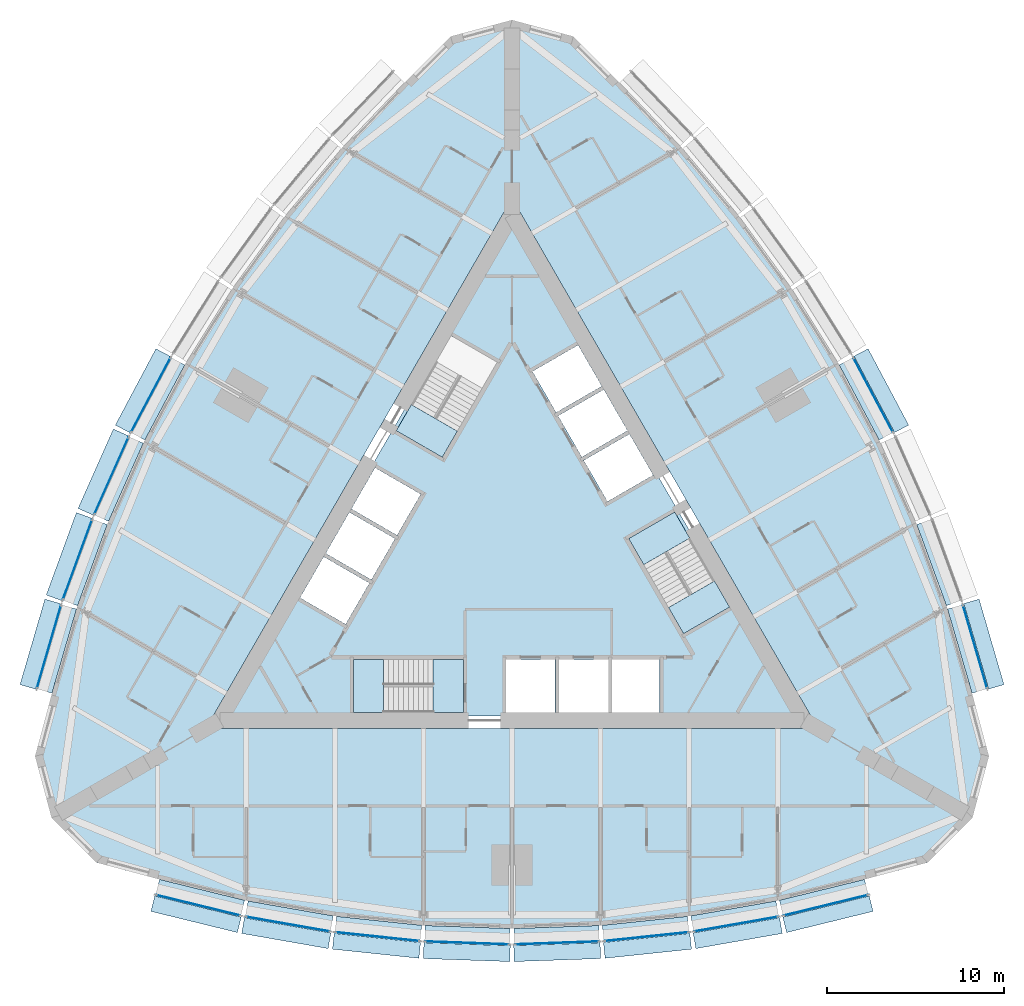
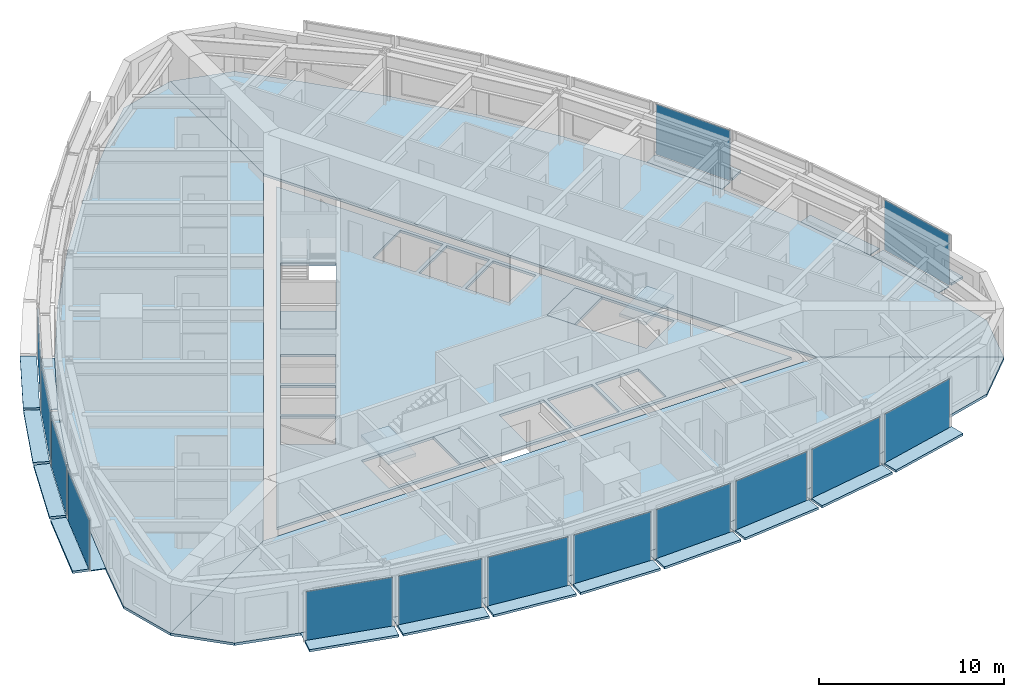
# One storey, part 6 of 14: 43 plates, 9 slabs, 17 elements without a shape of their own.
"""IFC4 building model written with IfcOpenShell, lengths in metres."""

import ifcopenshell
import ifcopenshell.guid

model = None  # the IFC model being written
_history = None  # IfcOwnerHistory: only IFC2X3 demands one
_inside = {}  # id of a spatial element -> (the spatial element, [elements in it])
_under = {}  # id of a project, library or spatial element -> (it, [spatial elements below it])
_declared = {}  # id of a project -> (the project, [libraries it declares])
_typed = {}  # id of a type object -> (the type object, [elements of that type])
_made_of = {}  # id of a material, layer set ... -> (it, [elements and type objects made of it])


def new_model(schema):
    """Start an empty IFC model of exactly this schema.

    Asked for "IFC4X3", IfcOpenShell would pick the latest addendum, in which some entities
    have other attributes; the version numbers below select the first issue.
    IFC2X3 requires an IfcOwnerHistory on every rooted entity: one is made here for all.
    """
    global model, _history
    if schema == "IFC4X3":
        model = ifcopenshell.file(schema_version=(4, 3, 0, 0))
    else:
        model = ifcopenshell.file(schema=schema)
    _inside.clear()
    _under.clear()
    _declared.clear()
    _typed.clear()
    _made_of.clear()
    _history = None
    if model.schema == "IFC2X3":
        org = make("IfcOrganization", Name="unknown")
        user = make(
            "IfcPersonAndOrganization",
            ThePerson=make("IfcPerson", FamilyName="unknown"),
            TheOrganization=org,
        )
        app = make(
            "IfcApplication",
            ApplicationDeveloper=org,
            Version="unknown",
            ApplicationFullName="unknown",
            ApplicationIdentifier="unknown",
        )
        _history = make(
            "IfcOwnerHistory",
            OwningUser=user,
            OwningApplication=app,
            ChangeAction="ADDED",
            CreationDate=0,
        )
    return model


def make(cls, **values):
    """One entity of the class cls with the attributes given. An attribute that is None is left unset."""
    return model.create_entity(
        cls, **{name: value for name, value in values.items() if value is not None}
    )


def rooted(cls, **values):
    """An entity with a GlobalId (a new one), such as an element, a storey or a relation."""
    return make(cls, GlobalId=ifcopenshell.guid.new(), OwnerHistory=_history, **values)


def si_unit(unit_type, name, prefix=None):
    """IfcSIUnit, for example si_unit("LENGTHUNIT", "METRE", prefix="MILLI")."""
    return make("IfcSIUnit", UnitType=unit_type, Prefix=prefix, Name=name)


def assignment(units):
    """IfcUnitAssignment: the units of a project."""
    return None if units is None else make("IfcUnitAssignment", Units=units)


def point(xyz):
    """IfcCartesianPoint."""
    return None if xyz is None else make("IfcCartesianPoint", Coordinates=xyz)


def direction(xyz):
    """IfcDirection."""
    return None if xyz is None else make("IfcDirection", DirectionRatios=xyz)


def frame(location, z_axis=None, x_axis=None):
    """IfcAxis2Placement3D, a coordinate frame: its origin and axes. An axis left out is left unset."""
    return make(
        "IfcAxis2Placement3D",
        Location=point(location),
        Axis=direction(z_axis),
        RefDirection=direction(x_axis),
    )


def frame_2d(location, x_axis=None):
    """IfcAxis2Placement2D, a coordinate frame in the plane: its origin and x axis."""
    return make(
        "IfcAxis2Placement2D", Location=point(location), RefDirection=direction(x_axis)
    )


def origin():
    """The frame at (0, 0, 0) with its axes left unset."""
    return frame((0.0, 0.0, 0.0))


def origin_2d():
    """The frame at (0, 0) in the plane with its x axis left unset."""
    return frame_2d((0.0, 0.0))


def place(relative_to, where):
    """IfcLocalPlacement: puts the frame where relative to a parent placement (None: the world)."""
    return make(
        "IfcLocalPlacement", PlacementRelTo=relative_to, RelativePlacement=where
    )


def context(
    kind, dimensions, precision=None, world=None, true_north=None, identifier=None
):
    """IfcGeometricRepresentationContext, for example the 3D "Model" context."""
    return make(
        "IfcGeometricRepresentationContext",
        ContextIdentifier=identifier,
        ContextType=kind,
        CoordinateSpaceDimension=dimensions,
        Precision=precision,
        WorldCoordinateSystem=world,
        TrueNorth=true_north,
    )


def subcontext(parent, identifier, kind, view, scale=None):
    """IfcGeometricRepresentationSubContext, for example "Body" below "Model"."""
    return make(
        "IfcGeometricRepresentationSubContext",
        ContextIdentifier=identifier,
        ContextType=kind,
        ParentContext=parent,
        TargetScale=scale,
        TargetView=view,
    )


def project(units=None, contexts=None):
    """IfcProject with its units and contexts."""
    return rooted(
        "IfcProject",
        Name="project",
        RepresentationContexts=contexts,
        UnitsInContext=assignment(units),
    )


def spatial(cls, under=None, at=None, **own):
    """A site, building, storey or space (cls), placed at a placement, below another one or the project."""
    s = rooted(cls, ObjectPlacement=at, **own)
    if under is not None:
        _under.setdefault(under.id(), (under, []))[1].append(s)
    return s


def polyline(points):
    """IfcPolyline through the points."""
    return make("IfcPolyline", Points=[point(p) for p in points])


def profile(cls, at=None, kind="AREA", **sizes):
    """A parametric profile (cls). Its sizes go by their IFC names, for example OverallWidth=200.0."""
    return make(cls, ProfileType=kind, Position=at, **sizes)


def rectangle(**sizes):
    """IfcRectangleProfileDef."""
    return profile("IfcRectangleProfileDef", **sizes)


def outline(outer, holes=None, kind="AREA"):
    """IfcArbitraryClosedProfileDef: a profile drawn as a closed curve; with holes, ...WithVoids."""
    if holes is None:
        return make("IfcArbitraryClosedProfileDef", ProfileType=kind, OuterCurve=outer)
    return make(
        "IfcArbitraryProfileDefWithVoids",
        ProfileType=kind,
        OuterCurve=outer,
        InnerCurves=holes,
    )


def extrude(swept, where, along, depth):
    """IfcExtrudedAreaSolid: the profile swept, set in the frame where, extruded along a direction by depth."""
    return make(
        "IfcExtrudedAreaSolid",
        SweptArea=swept,
        Position=where,
        ExtrudedDirection=direction(along),
        Depth=depth,
    )


def shape(context_of_items, identifier, shape_type, items):
    """IfcShapeRepresentation: the items that make up one representation, for example the "Body"."""
    return make(
        "IfcShapeRepresentation",
        ContextOfItems=context_of_items,
        RepresentationIdentifier=identifier,
        RepresentationType=shape_type,
        Items=items,
    )


def material(Name=None, Category=None):
    """IfcMaterial."""
    return make("IfcMaterial", Name=Name, Category=Category)


def layer(
    of_material, thickness, ventilated=None, Name=None, Category=None, Priority=None
):
    """IfcMaterialLayer: one layer of a wall or slab, of a material (None: an air gap)."""
    return make(
        "IfcMaterialLayer",
        Material=of_material,
        LayerThickness=thickness,
        IsVentilated=ventilated,
        Name=Name,
        Category=Category,
        Priority=Priority,
    )


def layer_set(layers, Name=None):
    """IfcMaterialLayerSet."""
    return make("IfcMaterialLayerSet", MaterialLayers=layers, LayerSetName=Name)


def made_of(thing, what):
    """Note that an element or type object is made of a material, layer set ...; save() writes the relation."""
    if what is not None:
        _made_of.setdefault(what.id(), (what, []))[1].append(thing)
    return thing


def type_object(cls, material=None, **own):
    """A type object (cls), such as IfcWallType, which elements share."""
    return made_of(rooted(cls, **own), material)


def element(
    cls,
    number,
    at=None,
    inside=None,
    cuts=None,
    type_object=None,
    material=None,
    context=None,
    identifier="Body",
    shape_type=None,
    held_by="IfcProductDefinitionShape",
    body=None,
    shapes=None,
    **own,
):
    """One element of the class cls, such as IfcWall. Its Tag is "e" and its number.

    at: its placement. inside: the storey or other place that contains it. cuts: it is an
    opening in that element (IfcRelVoidsElement). A single representation is given by context,
    identifier, shape_type and body (its items); several are given by shapes. held_by: the class
    of the entity that holds the representations. save() writes the other relations.
    """
    e = rooted(cls, Tag="e%d" % number, ObjectPlacement=at, **own)
    if body is not None:
        shapes = [shape(context, identifier, shape_type, body)]
    if shapes is not None:
        e.Representation = make(held_by, Representations=shapes)
    if inside is not None:
        _inside.setdefault(inside.id(), (inside, []))[1].append(e)
    if cuts is not None:
        rooted(
            "IfcRelVoidsElement", RelatingBuildingElement=cuts, RelatedOpeningElement=e
        )
    if type_object is not None:
        _typed.setdefault(type_object.id(), (type_object, []))[1].append(e)
    return made_of(e, material)


def aggregate(whole, parts):
    """IfcRelAggregates: a whole, such as a stair, and the parts it consists of."""
    return rooted("IfcRelAggregates", RelatingObject=whole, RelatedObjects=parts)


def save(model, path):
    """Write the relations noted so far, then the file.

    IfcRelAggregates (storeys below a building ...), IfcRelContainedInSpatialStructure (elements
    in a storey), IfcRelDefinesByType, IfcRelAssociatesMaterial and IfcRelDeclares: one each for
    every whole, place, type object, material and project.
    """
    for whole, parts in _under.values():
        aggregate(whole, parts)
    for where, things in _inside.values():
        rooted(
            "IfcRelContainedInSpatialStructure",
            RelatedElements=things,
            RelatingStructure=where,
        )
    for kind, things in _typed.values():
        rooted("IfcRelDefinesByType", RelatedObjects=things, RelatingType=kind)
    for what, things in _made_of.values():
        rooted("IfcRelAssociatesMaterial", RelatedObjects=things, RelatingMaterial=what)
    for by, libraries in _declared.values():
        rooted("IfcRelDeclares", RelatingContext=by, RelatedDefinitions=libraries)
    model.write(path)


model = new_model("IFC4")

# Units and contexts
model_context = context("Model", 3, precision=1e-05, world=origin(), true_north=direction((0.0, 1.0)))
body_context = subcontext(model_context, "Body", "Model", "MODEL_VIEW")
ifc_project = project(units=[si_unit("LENGTHUNIT", "METRE"), si_unit("AREAUNIT", "SQUARE_METRE"), si_unit("VOLUMEUNIT", "CUBIC_METRE"), si_unit("PLANEANGLEUNIT", "RADIAN"), si_unit("MASSUNIT", "GRAM", prefix="KILO")], contexts=[model_context])

# Site, building, storey
site_placement = place(None, origin())
site = spatial("IfcSite", under=ifc_project, at=site_placement, CompositionType="ELEMENT")
building_placement = place(site_placement, origin())
building = spatial("IfcBuilding", under=site, at=building_placement, Name="Trikona Tower", CompositionType="ELEMENT")
storey_placement = place(building_placement, frame((0.0, 0.0, 131.699951171875)))
storey = spatial("IfcBuildingStorey", under=building, at=storey_placement, Name="L34", CompositionType="ELEMENT", Elevation=131.699951171875)

# Plates
ifc_material_1 = material(Name="Aluminium bar grating", Category="aluminium")
ifc_layer_1 = layer(ifc_material_1, 0.050048828125)
ifc_layer_set_1 = layer_set([ifc_layer_1], Name="Cavity catwalk grating")
plate_type_1 = type_object("IfcPlateType", Name="Cavity catwalk grating", PredefinedType="USERDEFINED", material=ifc_layer_set_1)
plate_1_placement = place(storey_placement, frame((-17.598876953125, -19.49072265625, -0.0498046875), z_axis=(0.0, 0.0, 1.0), x_axis=(0.971274411564, -0.237962218516, 0.0)))
element("IfcPlate", 1, at=plate_1_placement, inside=storey, type_object=plate_type_1, Name="Cavity catwalk L34-00", ObjectType="CATWALK GRATING", PredefinedType="USERDEFINED", context=body_context, shape_type="SweptSolid", body=[
    extrude(rectangle(XDim=4.947998046875, YDim=0.830078125, at=origin_2d()), origin(), (0.0, 0.0, 1.0), 0.050048828125),
])
plate_2_placement = place(storey_placement, frame((-12.571533203125, -20.54638671875, -0.0498046875), z_axis=(0.0, 0.0, 1.0), x_axis=(0.985030604067, -0.172379549401, 0.0)))
element("IfcPlate", 2, at=plate_2_placement, inside=storey, type_object=plate_type_1, Name="Cavity catwalk L34-01", ObjectType="CATWALK GRATING", PredefinedType="USERDEFINED", context=body_context, shape_type="SweptSolid", body=[
    extrude(rectangle(XDim=4.8759765625, YDim=0.830078125, at=origin_2d()), origin(), (0.0, 0.0, 1.0), 0.050048828125),
])
plate_3_placement = place(storey_placement, frame((-7.543212890625, -21.25048828125, -0.0498046875), z_axis=(0.0, 0.0, 1.0), x_axis=(0.994532653854, -0.104426052392, 0.0)))
element("IfcPlate", 3, at=plate_3_placement, inside=storey, type_object=plate_type_1, Name="Cavity catwalk L34-02", ObjectType="CATWALK GRATING", PredefinedType="USERDEFINED", context=body_context, shape_type="SweptSolid", body=[
    extrude(rectangle(XDim=4.827392578125, YDim=0.830078125, at=origin_2d()), origin(), (0.0, 0.0, 1.0), 0.050048828125),
])
for number, where, z_axis, x_axis, name in (
    (4, (-2.514404296875, -21.602294921875, -0.0498046875), (0.0, 0.0, 1.0), (0.999388082937, -0.034977988567, 0.0), "Cavity catwalk L34-03"),
    (5, (2.514404296875, -21.602294921875, -0.0498046875), (0.0, 0.0, 1.0), (0.999388082937, 0.034977988567, 0.0), "Cavity catwalk L34-04"),
):
    element("IfcPlate", number, at=place(storey_placement, frame(where, z_axis=z_axis, x_axis=x_axis)), inside=storey, type_object=plate_type_1, Name=name, ObjectType="CATWALK GRATING", PredefinedType="USERDEFINED", context=body_context, shape_type="SweptSolid", body=[
        extrude(rectangle(XDim=4.802978515625, YDim=0.830078125, at=origin_2d()), origin(), (0.0, 0.0, 1.0), 0.050048828125),
    ])
plate_4_placement = place(storey_placement, frame((7.543212890625, -21.25048828125, -0.0498046875), z_axis=(0.0, 0.0, 1.0), x_axis=(0.994532653854, 0.104426052392, 0.0)))
element("IfcPlate", 6, at=plate_4_placement, inside=storey, type_object=plate_type_1, Name="Cavity catwalk L34-05", ObjectType="CATWALK GRATING", PredefinedType="USERDEFINED", context=body_context, shape_type="SweptSolid", body=[
    extrude(rectangle(XDim=4.827392578125, YDim=0.830078125, at=origin_2d()), origin(), (0.0, 0.0, 1.0), 0.050048828125),
])
plate_5_placement = place(storey_placement, frame((12.571533203125, -20.54638671875, -0.0498046875), z_axis=(0.0, 0.0, 1.0), x_axis=(0.985030604067, 0.172379549401, 0.0)))
element("IfcPlate", 7, at=plate_5_placement, inside=storey, type_object=plate_type_1, Name="Cavity catwalk L34-06", ObjectType="CATWALK GRATING", PredefinedType="USERDEFINED", context=body_context, shape_type="SweptSolid", body=[
    extrude(rectangle(XDim=4.8759765625, YDim=0.830078125, at=origin_2d()), origin(), (0.0, 0.0, 1.0), 0.050048828125),
])
plate_6_placement = place(storey_placement, frame((17.598876953125, -19.49072265625, -0.0498046875), z_axis=(0.0, 0.0, 1.0), x_axis=(0.971274411564, 0.237962218516, 0.0)))
element("IfcPlate", 8, at=plate_6_placement, inside=storey, type_object=plate_type_1, Name="Cavity catwalk L34-07", ObjectType="CATWALK GRATING", PredefinedType="USERDEFINED", context=body_context, shape_type="SweptSolid", body=[
    extrude(rectangle(XDim=4.947998046875, YDim=0.830078125, at=origin_2d()), origin(), (0.0, 0.0, 1.0), 0.050048828125),
])
plate_7_placement = place(storey_placement, frame((25.678955078125, -5.49560546875, -0.0498046875), z_axis=(0.0, 0.0, 1.0), x_axis=(-0.279554203664, 0.960129911634, 0.0)))
element("IfcPlate", 9, at=plate_7_placement, inside=storey, type_object=plate_type_1, Name="Cavity catwalk L34-12", ObjectType="CATWALK GRATING", PredefinedType="USERDEFINED", context=body_context, shape_type="SweptSolid", body=[
    extrude(rectangle(XDim=4.94775390625, YDim=0.830078125, at=origin_2d()), origin(), (0.0, 0.0, 1.0), 0.050048828125),
])
plate_8_placement = place(storey_placement, frame((24.07958984375, -0.614013671875, -0.0498046875), z_axis=(0.0, 0.0, 1.0), x_axis=(-0.343220397324, 0.939254895575, 0.0)))
element("IfcPlate", 10, at=plate_8_placement, inside=storey, type_object=plate_type_1, Name="Cavity catwalk L34-13", ObjectType="CATWALK GRATING", PredefinedType="USERDEFINED", context=body_context, shape_type="SweptSolid", body=[
    extrude(rectangle(XDim=4.8759765625, YDim=0.830078125, at=origin_2d()), origin(), (0.0, 0.0, 1.0), 0.050048828125),
])
for number, where, z_axis, x_axis, name in (
    (11, (19.965576171875, 8.62353515625, -0.0498046875), (0.0, 0.0, 1.0), (-0.469397591494, 0.882986920118, 0.0), "Cavity catwalk L34-15"),
    (12, (-19.965576171875, 8.62353515625, -0.0498046875), (0.0, 0.0, 1.0), (-0.469397591494, -0.882986920118, 0.0), "Cavity catwalk L34-28"),
):
    element("IfcPlate", number, at=place(storey_placement, frame(where, z_axis=z_axis, x_axis=x_axis)), inside=storey, type_object=plate_type_1, Name=name, ObjectType="CATWALK GRATING", PredefinedType="USERDEFINED", context=body_context, shape_type="SweptSolid", body=[
        extrude(rectangle(XDim=4.802978515625, YDim=0.830078125, at=origin_2d()), origin(), (0.0, 0.0, 1.0), 0.050048828125),
    ])
plate_9_placement = place(storey_placement, frame((-22.175048828125, 4.092529296875, -0.0498046875), z_axis=(0.0, 0.0, 1.0), x_axis=(-0.406843467615, -0.913497888809, 0.0)))
element("IfcPlate", 13, at=plate_9_placement, inside=storey, type_object=plate_type_1, Name="Cavity catwalk L34-29", ObjectType="CATWALK GRATING", PredefinedType="USERDEFINED", context=body_context, shape_type="SweptSolid", body=[
    extrude(rectangle(XDim=4.827392578125, YDim=0.830078125, at=origin_2d()), origin(), (0.0, 0.0, 1.0), 0.050048828125),
])
plate_10_placement = place(storey_placement, frame((-24.07958984375, -0.614013671875, -0.0498046875), z_axis=(0.0, 0.0, 1.0), x_axis=(-0.343220397324, -0.939254895575, 0.0)))
element("IfcPlate", 14, at=plate_10_placement, inside=storey, type_object=plate_type_1, Name="Cavity catwalk L34-30", ObjectType="CATWALK GRATING", PredefinedType="USERDEFINED", context=body_context, shape_type="SweptSolid", body=[
    extrude(rectangle(XDim=4.8759765625, YDim=0.830078125, at=origin_2d()), origin(), (0.0, 0.0, 1.0), 0.050048828125),
])
plate_11_placement = place(storey_placement, frame((-25.678955078125, -5.49560546875, -0.0498046875), z_axis=(0.0, 0.0, 1.0), x_axis=(-0.279554203664, -0.960129911634, 0.0)))
element("IfcPlate", 15, at=plate_11_placement, inside=storey, type_object=plate_type_1, Name="Cavity catwalk L34-31", ObjectType="CATWALK GRATING", PredefinedType="USERDEFINED", context=body_context, shape_type="SweptSolid", body=[
    extrude(rectangle(XDim=4.94775390625, YDim=0.830078125, at=origin_2d()), origin(), (0.0, 0.0, 1.0), 0.050048828125),
])

# Slabs
ifc_material_2 = material(Name="Concrete f'c 5000 psi lightweight on composite steel deck", Category="concrete")
ifc_layer_2 = layer(ifc_material_2, 0.1650390625)
ifc_layer_set_2 = layer_set([ifc_layer_2], Name="Composite floor slab 165")
slab_type_1 = type_object("IfcSlabType", Name="Composite floor slab 165", PredefinedType="FLOOR", material=ifc_layer_set_2)
slab_1_placement = place(storey_placement, frame((0.0, 0.0, -0.1650390625)))
element("IfcSlab", 16, at=slab_1_placement, inside=storey, type_object=slab_type_1, Name="Floor slab L34 core", PredefinedType="FLOOR", context=body_context, shape_type="SweptSolid", body=[
    extrude(outline(polyline([(-16.06689453125, -9.2763671875), (16.06689453125, -9.2763671875), (0.0, 18.552490234375), (-16.06689453125, -9.2763671875)]), holes=[polyline([(12.285400390625, -3.126220703125), (9.185302734375, 2.2431640625), (6.587158203125, 0.7431640625), (9.687255859375, -4.626220703125), (12.285400390625, -3.126220703125)]), polyline([(8.340087890625, -9.06640625), (8.340087890625, -6.086181640625), (5.659912109375, -6.086181640625), (5.659912109375, -9.06640625), (8.340087890625, -9.06640625)]), polyline([(5.390869140625, 2.835205078125), (7.9716796875, 4.3251953125), (6.631591796875, 6.646240234375), (4.05078125, 5.15625), (5.390869140625, 2.835205078125)]), polyline([(2.600830078125, 7.667724609375), (3.94091796875, 5.3466796875), (6.521484375, 6.8369140625), (5.181640625, 9.15771484375), (2.600830078125, 7.667724609375)]), polyline([(5.43994140625, -6.086181640625), (2.659912109375, -6.086181640625), (2.659912109375, -9.06640625), (5.43994140625, -9.06640625), (5.43994140625, -6.086181640625)]), polyline([(3.731689453125, 11.669189453125), (1.15087890625, 10.17919921875), (2.490966796875, 7.858154296875), (5.071533203125, 9.34814453125), (3.731689453125, 11.669189453125)]), polyline([(-0.340087890625, -6.086181640625), (-0.340087890625, -9.06640625), (2.43994140625, -9.06640625), (2.43994140625, -6.086181640625), (-0.340087890625, -6.086181640625)]), polyline([(-3.435302734375, 12.202392578125), (-6.535400390625, 6.8330078125), (-3.937255859375, 5.3330078125), (-0.837158203125, 10.702392578125), (-3.435302734375, 12.202392578125)]), polyline([(-8.949951171875, -9.076416015625), (-2.75, -9.076416015625), (-2.75, -6.076416015625), (-8.949951171875, -6.076416015625), (-8.949951171875, -9.076416015625)]), polyline([(-5.15087890625, 3.2509765625), (-7.731689453125, 4.740966796875), (-9.071533203125, 2.419921875), (-6.490966796875, 0.929931640625), (-5.15087890625, 3.2509765625)]), polyline([(-7.94091796875, -1.581298828125), (-6.600830078125, 0.739501953125), (-9.181640625, 2.2294921875), (-10.521484375, -0.09130859375), (-7.94091796875, -1.581298828125)]), polyline([(-11.9716796875, -2.602783203125), (-9.390869140625, -4.093017578125), (-8.05078125, -1.77197265625), (-10.631591796875, -0.281982421875), (-11.9716796875, -2.602783203125)])]), origin(), (0.0, 0.0, 1.0), 0.1650390625),
])
slab_2_placement = place(storey_placement, frame((0.0, 0.0, -0.1650390625)))
element("IfcSlab", 17, at=slab_2_placement, inside=storey, type_object=slab_type_1, Name="Floor slab L34 south", PredefinedType="FLOOR", context=body_context, shape_type="SweptSolid", body=[
    extrude(outline(polyline([(23.464111328125, -17.547119140625), (26.0, -15.010986328125), (17.279296875, -9.976318359375), (-17.279296875, -9.976318359375), (-26.0, -15.010986328125), (-23.464111328125, -17.547119140625), (-20.0, -18.47509765625), (-15.0, -19.7001953125), (-10.0, -20.5751953125), (-5.0, -21.10009765625), (0.0, -21.275146484375), (5.0, -21.10009765625), (10.0, -20.5751953125), (15.0, -19.7001953125), (20.0, -18.47509765625), (23.464111328125, -17.547119140625)])), origin(), (0.0, 0.0, 1.0), 0.1650390625),
])
slab_3_placement = place(storey_placement, frame((0.0, 0.0, -0.1650390625)))
element("IfcSlab", 18, at=slab_3_placement, inside=storey, type_object=slab_type_1, Name="Floor slab L34 north-east", PredefinedType="FLOOR", context=body_context, shape_type="SweptSolid", body=[
    extrude(outline(polyline([(3.464111328125, 29.093994140625), (0.0, 30.022216796875), (0.0, 19.95263671875), (17.279296875, -9.976318359375), (26.0, -15.010986328125), (26.92822265625, -11.547119140625), (26.0, -8.0830078125), (24.560791015625, -3.140380859375), (22.818603515625, 1.62744140625), (20.773193359375, 6.219970703125), (18.4248046875, 10.6376953125), (15.773193359375, 14.880126953125), (12.818603515625, 18.947998046875), (9.560791015625, 22.840576171875), (6.0, 26.55810546875), (3.464111328125, 29.093994140625)])), origin(), (0.0, 0.0, 1.0), 0.1650390625),
])
slab_4_placement = place(storey_placement, frame((0.0, 0.0, -0.1650390625)))
element("IfcSlab", 19, at=slab_4_placement, inside=storey, type_object=slab_type_1, Name="Floor slab L34 north-west", PredefinedType="FLOOR", context=body_context, shape_type="SweptSolid", body=[
    extrude(outline(polyline([(0.0, 19.95263671875), (0.0, 30.022216796875), (-3.464111328125, 29.093994140625), (-6.0, 26.55810546875), (-9.560791015625, 22.840576171875), (-12.818603515625, 18.947998046875), (-15.773193359375, 14.880126953125), (-18.4248046875, 10.6376953125), (-20.773193359375, 6.219970703125), (-22.818603515625, 1.62744140625), (-24.560791015625, -3.140380859375), (-26.0, -8.0830078125), (-26.92822265625, -11.547119140625), (-26.0, -15.010986328125), (-17.279296875, -9.976318359375), (0.0, 19.95263671875)])), origin(), (0.0, 0.0, 1.0), 0.1650390625),
])

# Curtain wall, plate
ifc_material_3 = material(Name="Aluminium curtain wall system", Category="aluminium")
curtain_wall_type = type_object("IfcCurtainWallType", Name="Curtain wall DS2", PredefinedType="NOTDEFINED", material=ifc_material_3)
curtain_wall_1_placement = place(storey_placement, origin())
curtain_wall_1 = element("IfcCurtainWall", 20, at=curtain_wall_1_placement, inside=storey, type_object=curtain_wall_type, Name="Curtain wall DS2 L34", PredefinedType="NOTDEFINED")
ifc_material_4 = material(Name="Laminated clear glass", Category="glass")
ifc_layer_3 = layer(ifc_material_4, 0.028076171875)
ifc_layer_set_3 = layer_set([ifc_layer_3], Name="Glass panel DS2")
plate_type_2 = type_object("IfcPlateType", Name="Glass panel DS2", PredefinedType="CURTAIN_PANEL", material=ifc_layer_set_3)
plate_12_placement = place(storey_placement, frame((-17.714111328125, -19.9619140625, 0.0), z_axis=(0.0, 0.0, 1.0), x_axis=(0.971272455026, -0.237970204243, 0.0)))
plate_12 = element("IfcPlate", 21, at=plate_12_placement, type_object=plate_type_2, Name="CW-DS2 panel 1.1", PredefinedType="CURTAIN_PANEL", context=body_context, shape_type="SweptSolid", body=[
    extrude(rectangle(XDim=4.867919921875, YDim=0.028076171875, at=origin_2d()), origin(), (0.0, 0.0, 1.0), 3.320068359375),
])
aggregate(curtain_wall_1, [plate_12])

curtain_wall_2_placement = place(storey_placement, origin())
curtain_wall_2 = element("IfcCurtainWall", 22, at=curtain_wall_2_placement, inside=storey, type_object=curtain_wall_type, Name="Curtain wall DS2 L34", PredefinedType="NOTDEFINED")
plate_13_placement = place(storey_placement, frame((-12.655029296875, -21.024169921875, 0.0), z_axis=(0.0, 0.0, 1.0), x_axis=(0.985030981074, -0.17237739505, 0.0)))
plate_13 = element("IfcPlate", 23, at=plate_13_placement, type_object=plate_type_2, Name="CW-DS2 panel 1.1", PredefinedType="CURTAIN_PANEL", context=body_context, shape_type="SweptSolid", body=[
    extrude(rectangle(XDim=4.7958984375, YDim=0.028076171875, at=origin_2d()), origin(), (0.0, 0.0, 1.0), 3.320068359375),
])
aggregate(curtain_wall_2, [plate_13])

curtain_wall_3_placement = place(storey_placement, origin())
curtain_wall_3 = element("IfcCurtainWall", 24, at=curtain_wall_3_placement, inside=storey, type_object=curtain_wall_type, Name="Curtain wall DS2 L34", PredefinedType="NOTDEFINED")
plate_14_placement = place(storey_placement, frame((-7.593994140625, -21.732666015625, 0.0), z_axis=(0.0, 0.0, 1.0), x_axis=(0.994531883654, -0.104433387357, 0.0)))
plate_14 = element("IfcPlate", 25, at=plate_14_placement, type_object=plate_type_2, Name="CW-DS2 panel 1.1", PredefinedType="CURTAIN_PANEL", context=body_context, shape_type="SweptSolid", body=[
    extrude(rectangle(XDim=4.747314453125, YDim=0.028076171875, at=origin_2d()), origin(), (0.0, 0.0, 1.0), 3.320068359375),
])
aggregate(curtain_wall_3, [plate_14])

curtain_wall_4_placement = place(storey_placement, origin())
curtain_wall_4 = element("IfcCurtainWall", 26, at=curtain_wall_4_placement, inside=storey, type_object=curtain_wall_type, Name="Curtain wall DS2 L34", PredefinedType="NOTDEFINED")
plate_15_placement = place(storey_placement, frame((-2.531494140625, -22.087158203125, 0.0), z_axis=(0.0, 0.0, 1.0), x_axis=(0.99938737114, -0.034998320052, 0.0)))
plate_15 = element("IfcPlate", 27, at=plate_15_placement, type_object=plate_type_2, Name="CW-DS2 panel 1.1", PredefinedType="CURTAIN_PANEL", context=body_context, shape_type="SweptSolid", body=[
    extrude(rectangle(XDim=4.72314453125, YDim=0.028076171875, at=origin_2d()), origin(), (0.0, 0.0, 1.0), 3.320068359375),
])
aggregate(curtain_wall_4, [plate_15])

curtain_wall_5_placement = place(storey_placement, origin())
curtain_wall_5 = element("IfcCurtainWall", 28, at=curtain_wall_5_placement, inside=storey, type_object=curtain_wall_type, Name="Curtain wall DS2 L34", PredefinedType="NOTDEFINED")
plate_16_placement = place(storey_placement, frame((2.531494140625, -22.087158203125, 0.0), z_axis=(0.0, 0.0, 1.0), x_axis=(0.99938737114, 0.034998320052, 0.0)))
plate_16 = element("IfcPlate", 29, at=plate_16_placement, type_object=plate_type_2, Name="CW-DS2 panel 1.1", PredefinedType="CURTAIN_PANEL", context=body_context, shape_type="SweptSolid", body=[
    extrude(rectangle(XDim=4.72314453125, YDim=0.028076171875, at=origin_2d()), origin(), (0.0, 0.0, 1.0), 3.320068359375),
])
aggregate(curtain_wall_5, [plate_16])

curtain_wall_6_placement = place(storey_placement, origin())
curtain_wall_6 = element("IfcCurtainWall", 30, at=curtain_wall_6_placement, inside=storey, type_object=curtain_wall_type, Name="Curtain wall DS2 L34", PredefinedType="NOTDEFINED")
plate_17_placement = place(storey_placement, frame((7.593994140625, -21.732666015625, 0.0), z_axis=(0.0, 0.0, 1.0), x_axis=(0.994531883654, 0.104433387357, 0.0)))
plate_17 = element("IfcPlate", 31, at=plate_17_placement, type_object=plate_type_2, Name="CW-DS2 panel 1.1", PredefinedType="CURTAIN_PANEL", context=body_context, shape_type="SweptSolid", body=[
    extrude(rectangle(XDim=4.747314453125, YDim=0.028076171875, at=origin_2d()), origin(), (0.0, 0.0, 1.0), 3.320068359375),
])
aggregate(curtain_wall_6, [plate_17])

curtain_wall_7_placement = place(storey_placement, origin())
curtain_wall_7 = element("IfcCurtainWall", 32, at=curtain_wall_7_placement, inside=storey, type_object=curtain_wall_type, Name="Curtain wall DS2 L34", PredefinedType="NOTDEFINED")
plate_18_placement = place(storey_placement, frame((12.655029296875, -21.024169921875, 0.0), z_axis=(0.0, 0.0, 1.0), x_axis=(0.985030981074, 0.17237739505, 0.0)))
plate_18 = element("IfcPlate", 33, at=plate_18_placement, type_object=plate_type_2, Name="CW-DS2 panel 1.1", PredefinedType="CURTAIN_PANEL", context=body_context, shape_type="SweptSolid", body=[
    extrude(rectangle(XDim=4.7958984375, YDim=0.028076171875, at=origin_2d()), origin(), (0.0, 0.0, 1.0), 3.320068359375),
])
aggregate(curtain_wall_7, [plate_18])

curtain_wall_8_placement = place(storey_placement, origin())
curtain_wall_8 = element("IfcCurtainWall", 34, at=curtain_wall_8_placement, inside=storey, type_object=curtain_wall_type, Name="Curtain wall DS2 L34", PredefinedType="NOTDEFINED")
plate_19_placement = place(storey_placement, frame((17.714111328125, -19.9619140625, 0.0), z_axis=(0.0, 0.0, 1.0), x_axis=(0.971272455026, 0.237970204243, 0.0)))
plate_19 = element("IfcPlate", 35, at=plate_19_placement, type_object=plate_type_2, Name="CW-DS2 panel 1.1", PredefinedType="CURTAIN_PANEL", context=body_context, shape_type="SweptSolid", body=[
    extrude(rectangle(XDim=4.867919921875, YDim=0.028076171875, at=origin_2d()), origin(), (0.0, 0.0, 1.0), 3.320068359375),
])
aggregate(curtain_wall_8, [plate_19])

curtain_wall_9_placement = place(storey_placement, origin())
curtain_wall_9 = element("IfcCurtainWall", 36, at=curtain_wall_9_placement, inside=storey, type_object=curtain_wall_type, Name="Curtain wall DS2 L34", PredefinedType="NOTDEFINED")
plate_20_placement = place(storey_placement, frame((26.14453125, -5.360107421875, 0.0), z_axis=(0.0, 0.0, 1.0), x_axis=(-0.279543247757, 0.96013310152, 0.0)))
plate_20 = element("IfcPlate", 37, at=plate_20_placement, type_object=plate_type_2, Name="CW-DS2 panel 1.1", PredefinedType="CURTAIN_PANEL", context=body_context, shape_type="SweptSolid", body=[
    extrude(rectangle(XDim=4.867919921875, YDim=0.028076171875, at=origin_2d()), origin(), (0.0, 0.0, 1.0), 3.320068359375),
])
aggregate(curtain_wall_9, [plate_20])

curtain_wall_10_placement = place(storey_placement, origin())
curtain_wall_10 = element("IfcCurtainWall", 38, at=curtain_wall_10_placement, inside=storey, type_object=curtain_wall_type, Name="Curtain wall DS2 L34", PredefinedType="NOTDEFINED")
plate_21_placement = place(storey_placement, frame((20.393798828125, 8.851318359375, 0.0), z_axis=(0.0, 0.0, 1.0), x_axis=(-0.469380308937, 0.882996107343, 0.0)))
plate_21 = element("IfcPlate", 39, at=plate_21_placement, type_object=plate_type_2, Name="CW-DS2 panel 1.1", PredefinedType="CURTAIN_PANEL", context=body_context, shape_type="SweptSolid", body=[
    extrude(rectangle(XDim=4.72314453125, YDim=0.028076171875, at=origin_2d()), origin(), (0.0, 0.0, 1.0), 3.320068359375),
])
aggregate(curtain_wall_10, [plate_21])

curtain_wall_11_placement = place(storey_placement, origin())
curtain_wall_11 = element("IfcCurtainWall", 40, at=curtain_wall_11_placement, inside=storey, type_object=curtain_wall_type, Name="Curtain wall DS2 L34", PredefinedType="NOTDEFINED")
plate_22_placement = place(storey_placement, frame((-20.393798828125, 8.851318359375, 0.0), z_axis=(0.0, 0.0, 1.0), x_axis=(-0.469380308937, -0.882996107343, 0.0)))
plate_22 = element("IfcPlate", 41, at=plate_22_placement, type_object=plate_type_2, Name="CW-DS2 panel 1.1", PredefinedType="CURTAIN_PANEL", context=body_context, shape_type="SweptSolid", body=[
    extrude(rectangle(XDim=4.72314453125, YDim=0.028076171875, at=origin_2d()), origin(), (0.0, 0.0, 1.0), 3.320068359375),
])
aggregate(curtain_wall_11, [plate_22])

curtain_wall_12_placement = place(storey_placement, origin())
curtain_wall_12 = element("IfcCurtainWall", 42, at=curtain_wall_12_placement, inside=storey, type_object=curtain_wall_type, Name="Curtain wall DS2 L34", PredefinedType="NOTDEFINED")
plate_23_placement = place(storey_placement, frame((-22.6181640625, 4.289794921875, 0.0), z_axis=(0.0, 0.0, 1.0), x_axis=(-0.406836013132, -0.913501208767, 0.0)))
plate_23 = element("IfcPlate", 43, at=plate_23_placement, type_object=plate_type_2, Name="CW-DS2 panel 1.1", PredefinedType="CURTAIN_PANEL", context=body_context, shape_type="SweptSolid", body=[
    extrude(rectangle(XDim=4.747314453125, YDim=0.028076171875, at=origin_2d()), origin(), (0.0, 0.0, 1.0), 3.320068359375),
])
aggregate(curtain_wall_12, [plate_23])

curtain_wall_13_placement = place(storey_placement, origin())
curtain_wall_13 = element("IfcCurtainWall", 44, at=curtain_wall_13_placement, inside=storey, type_object=curtain_wall_type, Name="Curtain wall DS2 L34", PredefinedType="NOTDEFINED")
plate_24_placement = place(storey_placement, frame((-24.53515625, -0.447509765625, 0.0), z_axis=(0.0, 0.0, 1.0), x_axis=(-0.343223420143, -0.939253790978, 0.0)))
plate_24 = element("IfcPlate", 45, at=plate_24_placement, type_object=plate_type_2, Name="CW-DS2 panel 1.1", PredefinedType="CURTAIN_PANEL", context=body_context, shape_type="SweptSolid", body=[
    extrude(rectangle(XDim=4.7958984375, YDim=0.028076171875, at=origin_2d()), origin(), (0.0, 0.0, 1.0), 3.320068359375),
])
aggregate(curtain_wall_13, [plate_24])

curtain_wall_14_placement = place(storey_placement, origin())
curtain_wall_14 = element("IfcCurtainWall", 46, at=curtain_wall_14_placement, inside=storey, type_object=curtain_wall_type, Name="Curtain wall DS2 L34", PredefinedType="NOTDEFINED")
plate_25_placement = place(storey_placement, frame((-26.14453125, -5.360107421875, 0.0), z_axis=(0.0, 0.0, 1.0), x_axis=(-0.279543247757, -0.96013310152, 0.0)))
plate_25 = element("IfcPlate", 47, at=plate_25_placement, type_object=plate_type_2, Name="CW-DS2 panel 1.1", PredefinedType="CURTAIN_PANEL", context=body_context, shape_type="SweptSolid", body=[
    extrude(rectangle(XDim=4.867919921875, YDim=0.028076171875, at=origin_2d()), origin(), (0.0, 0.0, 1.0), 3.320068359375),
])
aggregate(curtain_wall_14, [plate_25])

# Plates
ifc_material_5 = material(Name="Aluminium plate fin, pale anodised, on stainless steel outriggers", Category="steel")
ifc_layer_4 = layer(ifc_material_5, 0.14990234375)
ifc_layer_set_4 = layer_set([ifc_layer_4], Name="Outer skin fin 900")
plate_type_3 = type_object("IfcPlateType", Name="Outer skin fin 900", PredefinedType="USERDEFINED", material=ifc_layer_set_4)
plate_26_placement = place(storey_placement, frame((-17.837890625, -20.466796875, 0.0), z_axis=(0.0, 0.0, 1.0), x_axis=(0.971274411564, -0.237962218516, 0.0)))
element("IfcPlate", 48, at=plate_26_placement, inside=storey, type_object=plate_type_3, Name="Outer skin fin L34-00", ObjectType="FIN", PredefinedType="USERDEFINED", context=body_context, shape_type="SweptSolid", body=[
    extrude(rectangle(XDim=5.02783203125, YDim=0.89990234375, at=origin_2d()), origin(), (0.0, 0.0, 1.0), 0.14990234375),
])
plate_27_placement = place(storey_placement, frame((-12.744873046875, -21.536376953125, 0.0), z_axis=(0.0, 0.0, 1.0), x_axis=(0.985030604067, -0.172379549401, 0.0)))
element("IfcPlate", 49, at=plate_27_placement, inside=storey, type_object=plate_type_3, Name="Outer skin fin L34-01", ObjectType="FIN", PredefinedType="USERDEFINED", context=body_context, shape_type="SweptSolid", body=[
    extrude(rectangle(XDim=4.9560546875, YDim=0.89990234375, at=origin_2d()), origin(), (0.0, 0.0, 1.0), 0.14990234375),
])
plate_28_placement = place(storey_placement, frame((-7.648193359375, -22.25, 0.0), z_axis=(0.0, 0.0, 1.0), x_axis=(0.994532653854, -0.104426052392, 0.0)))
element("IfcPlate", 50, at=plate_28_placement, inside=storey, type_object=plate_type_3, Name="Outer skin fin L34-02", ObjectType="FIN", PredefinedType="USERDEFINED", context=body_context, shape_type="SweptSolid", body=[
    extrude(rectangle(XDim=4.907470703125, YDim=0.89990234375, at=origin_2d()), origin(), (0.0, 0.0, 1.0), 0.14990234375),
])
for number, where, z_axis, x_axis, name in (
    (51, (-2.5498046875, -22.606689453125, 0.0), (0.0, 0.0, 1.0), (0.999388082937, -0.034977988567, 0.0), "Outer skin fin L34-03"),
    (52, (2.5498046875, -22.606689453125, 0.0), (0.0, 0.0, 1.0), (0.999388082937, 0.034977988567, 0.0), "Outer skin fin L34-04"),
):
    element("IfcPlate", number, at=place(storey_placement, frame(where, z_axis=z_axis, x_axis=x_axis)), inside=storey, type_object=plate_type_3, Name=name, ObjectType="FIN", PredefinedType="USERDEFINED", context=body_context, shape_type="SweptSolid", body=[
        extrude(rectangle(XDim=4.883056640625, YDim=0.89990234375, at=origin_2d()), origin(), (0.0, 0.0, 1.0), 0.14990234375),
    ])
plate_29_placement = place(storey_placement, frame((7.648193359375, -22.25, 0.0), z_axis=(0.0, 0.0, 1.0), x_axis=(0.994532653854, 0.104426052392, 0.0)))
element("IfcPlate", 53, at=plate_29_placement, inside=storey, type_object=plate_type_3, Name="Outer skin fin L34-05", ObjectType="FIN", PredefinedType="USERDEFINED", context=body_context, shape_type="SweptSolid", body=[
    extrude(rectangle(XDim=4.907470703125, YDim=0.89990234375, at=origin_2d()), origin(), (0.0, 0.0, 1.0), 0.14990234375),
])
plate_30_placement = place(storey_placement, frame((12.744873046875, -21.536376953125, 0.0), z_axis=(0.0, 0.0, 1.0), x_axis=(0.985030604067, 0.172379549401, 0.0)))
element("IfcPlate", 54, at=plate_30_placement, inside=storey, type_object=plate_type_3, Name="Outer skin fin L34-06", ObjectType="FIN", PredefinedType="USERDEFINED", context=body_context, shape_type="SweptSolid", body=[
    extrude(rectangle(XDim=4.9560546875, YDim=0.89990234375, at=origin_2d()), origin(), (0.0, 0.0, 1.0), 0.14990234375),
])
for number, where, z_axis, x_axis, name in (
    (55, (17.837890625, -20.466796875, 0.0), (0.0, 0.0, 1.0), (0.971274411564, 0.237962218516, 0.0), "Outer skin fin L34-07"),
    (56, (26.643798828125, -5.214599609375, 0.0), (0.0, 0.0, 1.0), (-0.279554203664, 0.960129911634, 0.0), "Outer skin fin L34-12"),
):
    element("IfcPlate", number, at=place(storey_placement, frame(where, z_axis=z_axis, x_axis=x_axis)), inside=storey, type_object=plate_type_3, Name=name, ObjectType="FIN", PredefinedType="USERDEFINED", context=body_context, shape_type="SweptSolid", body=[
        extrude(rectangle(XDim=5.02783203125, YDim=0.89990234375, at=origin_2d()), origin(), (0.0, 0.0, 1.0), 0.14990234375),
    ])
for number, where, z_axis, x_axis, name in (
    (57, (20.852783203125, 9.09521484375, 0.0), (0.0, 0.0, 1.0), (-0.469397591494, 0.882986920118, 0.0), "Outer skin fin L34-15"),
    (58, (-20.852783203125, 9.09521484375, 0.0), (0.0, 0.0, 1.0), (-0.469397591494, -0.882986920118, 0.0), "Outer skin fin L34-28"),
):
    element("IfcPlate", number, at=place(storey_placement, frame(where, z_axis=z_axis, x_axis=x_axis)), inside=storey, type_object=plate_type_3, Name=name, ObjectType="FIN", PredefinedType="USERDEFINED", context=body_context, shape_type="SweptSolid", body=[
        extrude(rectangle(XDim=4.883056640625, YDim=0.89990234375, at=origin_2d()), origin(), (0.0, 0.0, 1.0), 0.14990234375),
    ])
plate_31_placement = place(storey_placement, frame((-23.09326171875, 4.50146484375, 0.0), z_axis=(0.0, 0.0, 1.0), x_axis=(-0.406843467615, -0.913497888809, 0.0)))
element("IfcPlate", 59, at=plate_31_placement, inside=storey, type_object=plate_type_3, Name="Outer skin fin L34-29", ObjectType="FIN", PredefinedType="USERDEFINED", context=body_context, shape_type="SweptSolid", body=[
    extrude(rectangle(XDim=4.907470703125, YDim=0.89990234375, at=origin_2d()), origin(), (0.0, 0.0, 1.0), 0.14990234375),
])
plate_32_placement = place(storey_placement, frame((-25.0234375, -0.26904296875, 0.0), z_axis=(0.0, 0.0, 1.0), x_axis=(-0.343220397324, -0.939254895575, 0.0)))
element("IfcPlate", 60, at=plate_32_placement, inside=storey, type_object=plate_type_3, Name="Outer skin fin L34-30", ObjectType="FIN", PredefinedType="USERDEFINED", context=body_context, shape_type="SweptSolid", body=[
    extrude(rectangle(XDim=4.9560546875, YDim=0.89990234375, at=origin_2d()), origin(), (0.0, 0.0, 1.0), 0.14990234375),
])
plate_33_placement = place(storey_placement, frame((-26.643798828125, -5.214599609375, 0.0), z_axis=(0.0, 0.0, 1.0), x_axis=(-0.279554203664, -0.960129911634, 0.0)))
element("IfcPlate", 61, at=plate_33_placement, inside=storey, type_object=plate_type_3, Name="Outer skin fin L34-31", ObjectType="FIN", PredefinedType="USERDEFINED", context=body_context, shape_type="SweptSolid", body=[
    extrude(rectangle(XDim=5.02783203125, YDim=0.89990234375, at=origin_2d()), origin(), (0.0, 0.0, 1.0), 0.14990234375),
])

# Stair, slabs
ifc_material_6 = material(Name="Concrete f'c 5000 psi", Category="concrete")
stair_type = type_object("IfcStairType", Name="Core stair", PredefinedType="HALF_TURN_STAIR", material=ifc_material_6)
stair_1_placement = place(storey_placement, origin())
stair_1 = element("IfcStair", 62, at=stair_1_placement, inside=storey, type_object=stair_type, Name="Stair A L34", PredefinedType="HALF_TURN_STAIR")
ifc_material_7 = material(Name="Concrete f'c 5000 psi", Category="concrete")
ifc_layer_5 = layer(ifc_material_7, 0.199951171875)
ifc_layer_set_5 = layer_set([ifc_layer_5], Name="Stair landing 200")
slab_type_2 = type_object("IfcSlabType", Name="Stair landing 200", PredefinedType="LANDING", material=ifc_layer_set_5)
slab_5_placement = place(storey_placement, frame((0.0, 0.0, -0.199951171875)))
slab_5 = element("IfcSlab", 63, at=slab_5_placement, type_object=slab_type_2, Name="ST-A landing 1", PredefinedType="LANDING", context=body_context, shape_type="SweptSolid", body=[
    extrude(outline(polyline([(-4.452880859375, -6.076416015625), (-2.75, -6.076416015625), (-2.75, -9.076416015625), (-4.452880859375, -9.076416015625), (-4.452880859375, -6.076416015625)])), origin(), (0.0, 0.0, 1.0), 0.199951171875),
])
slab_6_placement = place(storey_placement, frame((0.0, 0.0, 1.5)))
slab_6 = element("IfcSlab", 64, at=slab_6_placement, type_object=slab_type_2, Name="ST-A landing 2", PredefinedType="LANDING", context=body_context, shape_type="SweptSolid", body=[
    extrude(outline(polyline([(-8.949951171875, -6.076416015625), (-7.2470703125, -6.076416015625), (-7.2470703125, -9.076416015625), (-8.949951171875, -9.076416015625), (-8.949951171875, -6.076416015625)])), origin(), (0.0, 0.0, 1.0), 0.199951171875),
])
aggregate(stair_1, [slab_5, slab_6])

stair_2_placement = place(storey_placement, origin())
stair_2 = element("IfcStair", 65, at=stair_2_placement, inside=storey, type_object=stair_type, Name="Stair B L34", PredefinedType="HALF_TURN_STAIR")
slab_7_placement = place(storey_placement, frame((0.0, 0.0, -0.199951171875)))
slab_7 = element("IfcSlab", 66, at=slab_7_placement, type_object=slab_type_2, Name="ST-B landing 1", PredefinedType="LANDING", context=body_context, shape_type="SweptSolid", body=[
    extrude(outline(polyline([(7.438720703125, -0.731689453125), (6.587158203125, 0.7431640625), (9.185302734375, 2.2431640625), (10.036865234375, 0.768310546875), (7.438720703125, -0.731689453125)])), origin(), (0.0, 0.0, 1.0), 0.199951171875),
])
slab_8_placement = place(storey_placement, frame((0.0, 0.0, 1.5)))
slab_8 = element("IfcSlab", 67, at=slab_8_placement, type_object=slab_type_2, Name="ST-B landing 2", PredefinedType="LANDING", context=body_context, shape_type="SweptSolid", body=[
    extrude(outline(polyline([(9.687255859375, -4.626220703125), (8.835693359375, -3.1513671875), (11.433837890625, -1.6513671875), (12.285400390625, -3.126220703125), (9.687255859375, -4.626220703125)])), origin(), (0.0, 0.0, 1.0), 0.199951171875),
])
aggregate(stair_2, [slab_7, slab_8])

# Stair, slab
stair_3_placement = place(storey_placement, origin())
stair_3 = element("IfcStair", 68, at=stair_3_placement, inside=storey, type_object=stair_type, Name="Stair C L34", PredefinedType="HALF_TURN_STAIR")
slab_9_placement = place(storey_placement, frame((0.0, 0.0, -0.199951171875)))
slab_9 = element("IfcSlab", 69, at=slab_9_placement, type_object=slab_type_2, Name="ST-C landing 1", PredefinedType="LANDING", context=body_context, shape_type="SweptSolid", body=[
    extrude(outline(polyline([(-3.085693359375, 6.807861328125), (-3.937255859375, 5.3330078125), (-6.535400390625, 6.8330078125), (-5.683837890625, 8.307861328125), (-3.085693359375, 6.807861328125)])), origin(), (0.0, 0.0, 1.0), 0.199951171875),
])
aggregate(stair_3, [slab_9])

save(model, "model.ifc")
